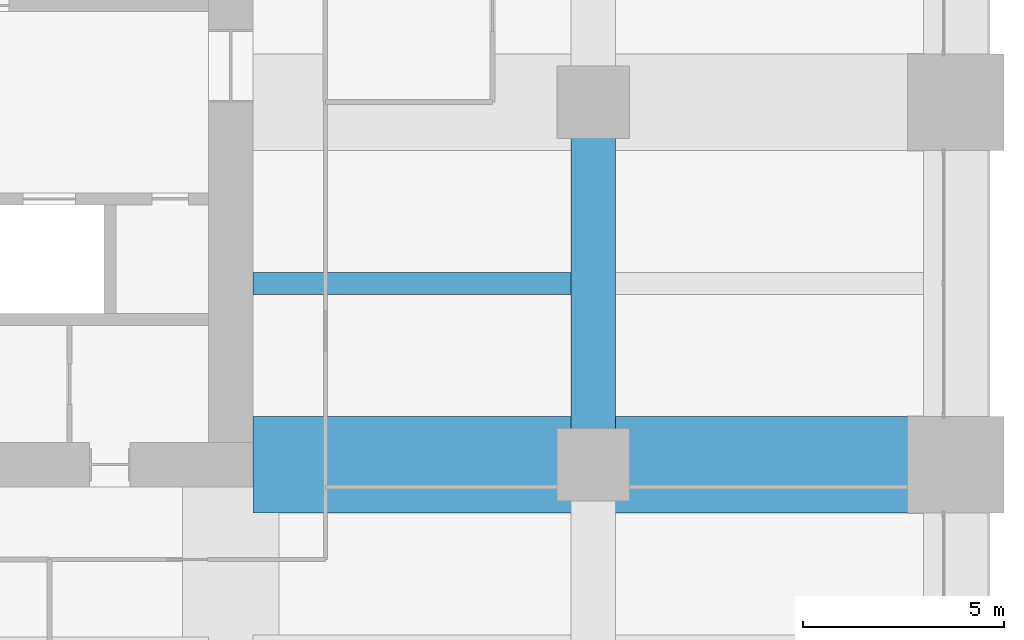
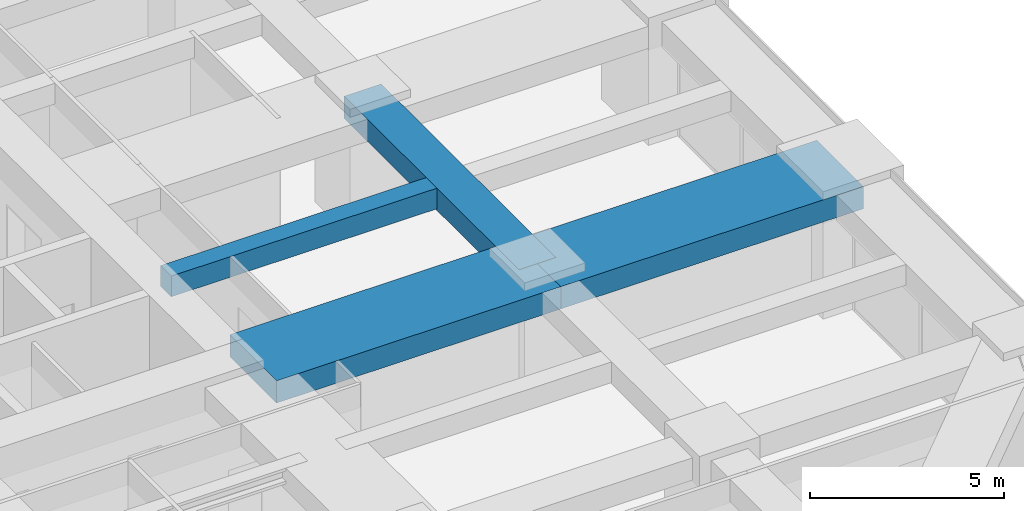
# One storey, part 20 of 42: 4 beams.
"""IFC4 building model written with IfcOpenShell, lengths in metres."""

from ifc_helpers import new_model, si_unit, direction, frame, origin, origin_2d, place, context, subcontext, project, spatial, rectangle, extrude, material, material_profile, profile_set, type_object, element, save


model = new_model("IFC4")

# Units and contexts
model_context = context("Model", 3, precision=1e-05, world=origin(), true_north=direction((0.0, 1.0)))
body_context = subcontext(model_context, "Body", "Model", "MODEL_VIEW")
ifc_project = project(units=[si_unit("LENGTHUNIT", "METRE"), si_unit("AREAUNIT", "SQUARE_METRE"), si_unit("VOLUMEUNIT", "CUBIC_METRE"), si_unit("PLANEANGLEUNIT", "RADIAN"), si_unit("MASSUNIT", "GRAM", prefix="KILO")], contexts=[model_context])

# Site, building, storey
site_placement = place(None, origin())
site = spatial("IfcSite", under=ifc_project, at=site_placement, CompositionType="ELEMENT")
building_placement = place(site_placement, origin())
building = spatial("IfcBuilding", under=site, at=building_placement, Name="Zorevar Civic Tower", CompositionType="ELEMENT")
storey_placement = place(building_placement, frame((0.0, 0.0, 149.0)))
storey = spatial("IfcBuildingStorey", under=building, at=storey_placement, Name="L36", CompositionType="ELEMENT", Elevation=149.0)

# Beams
ifc_material_1 = material(Name="Concrete C50/60", Category="concrete")
ifc_material_profile_1 = material_profile(ifc_material_1, rectangle(XDim=1.10009765625, YDim=0.699951171875, at=origin_2d()), Name="RC 1100x700")
ifc_profile_set_1 = profile_set([ifc_material_profile_1], Name="Concrete C50/60")
beam_type_1 = type_object("IfcBeamType", Name="Beam RC 1100x700", PredefinedType="BEAM", material=ifc_profile_set_1)
beam_1_placement = place(storey_placement, frame((54.0, 18.0, 3.39990234375), z_axis=(0.0, 1.0, 0.0), x_axis=(-1.0, 0.0, 0.0)))
element("IfcBeam", 1, at=beam_1_placement, inside=storey, type_object=beam_type_1, Name="Girder L37", PredefinedType="BEAM", context=body_context, shape_type="SweptSolid", body=[
    extrude(rectangle(XDim=1.10009765625, YDim=0.699951171875, at=origin_2d()), origin(), (0.0, 0.0, 1.0), 9.0),
])
ifc_material_2 = material(Name="Concrete C50/60", Category="concrete")
ifc_material_profile_2 = material_profile(ifc_material_2, rectangle(XDim=2.39990234375, YDim=0.699951171875, at=origin_2d()), Name="RC 2400x700")
ifc_profile_set_2 = profile_set([ifc_material_profile_2], Name="Concrete C50/60")
beam_type_2 = type_object("IfcBeamType", Name="Beam RC 2400x700", PredefinedType="BEAM", material=ifc_profile_set_2)
beam_2_placement = place(storey_placement, frame((45.550048828125, 18.0, 3.39990234375), z_axis=(1.0, 0.0, 0.0), x_axis=(0.0, 1.0, 0.0)))
element("IfcBeam", 2, at=beam_2_placement, inside=storey, type_object=beam_type_2, Name="Girder L37", PredefinedType="BEAM", context=body_context, shape_type="SweptSolid", body=[
    extrude(rectangle(XDim=2.39990234375, YDim=0.699951171875, at=origin_2d()), origin(), (0.0, 0.0, 1.0), 8.449951171875),
])
beam_3_placement = place(storey_placement, frame((54.0, 18.0, 3.39990234375), z_axis=(1.0, 0.0, 0.0), x_axis=(0.0, 1.0, 0.0)))
element("IfcBeam", 3, at=beam_3_placement, inside=storey, type_object=beam_type_2, Name="Girder L37", PredefinedType="BEAM", context=body_context, shape_type="SweptSolid", body=[
    extrude(rectangle(XDim=2.39990234375, YDim=0.699951171875, at=origin_2d()), origin(), (0.0, 0.0, 1.0), 9.0),
])
ifc_material_3 = material(Name="Concrete C50/60", Category="concrete")
ifc_material_profile_3 = material_profile(ifc_material_3, rectangle(XDim=0.550048828125, YDim=0.64990234375, at=origin_2d()), Name="RC 550x650")
ifc_profile_set_3 = profile_set([ifc_material_profile_3], Name="Concrete C50/60")
beam_type_3 = type_object("IfcBeamType", Name="Beam RC 550x650", PredefinedType="BEAM", material=ifc_profile_set_3)
beam_4_placement = place(storey_placement, frame((45.550048828125, 22.5, 3.425048828125), z_axis=(1.0, 0.0, 0.0), x_axis=(0.0, 1.0, 0.0)))
element("IfcBeam", 4, at=beam_4_placement, inside=storey, type_object=beam_type_3, Name="Secondary beam L37", PredefinedType="BEAM", context=body_context, shape_type="SweptSolid", body=[
    extrude(rectangle(XDim=0.550048828125, YDim=0.64990234375, at=origin_2d()), origin(), (0.0, 0.0, 1.0), 7.89990234375),
])

save(model, "model.ifc")
